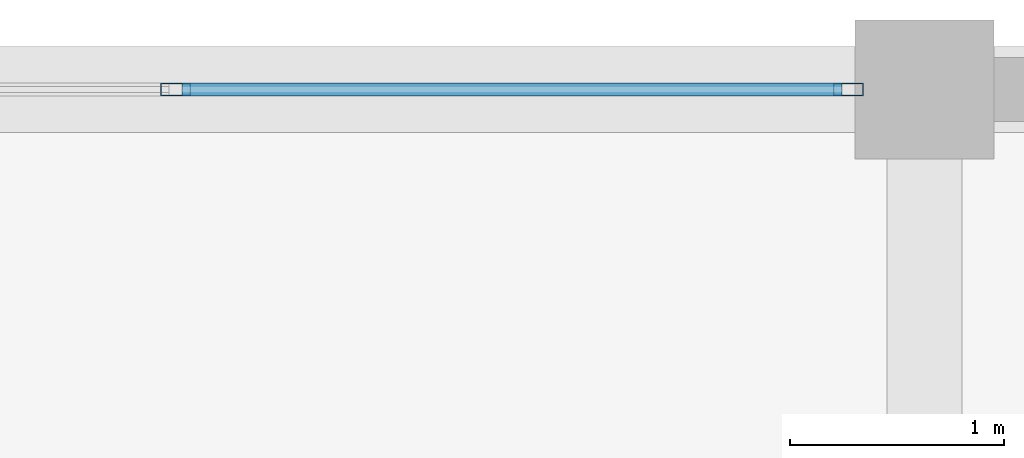
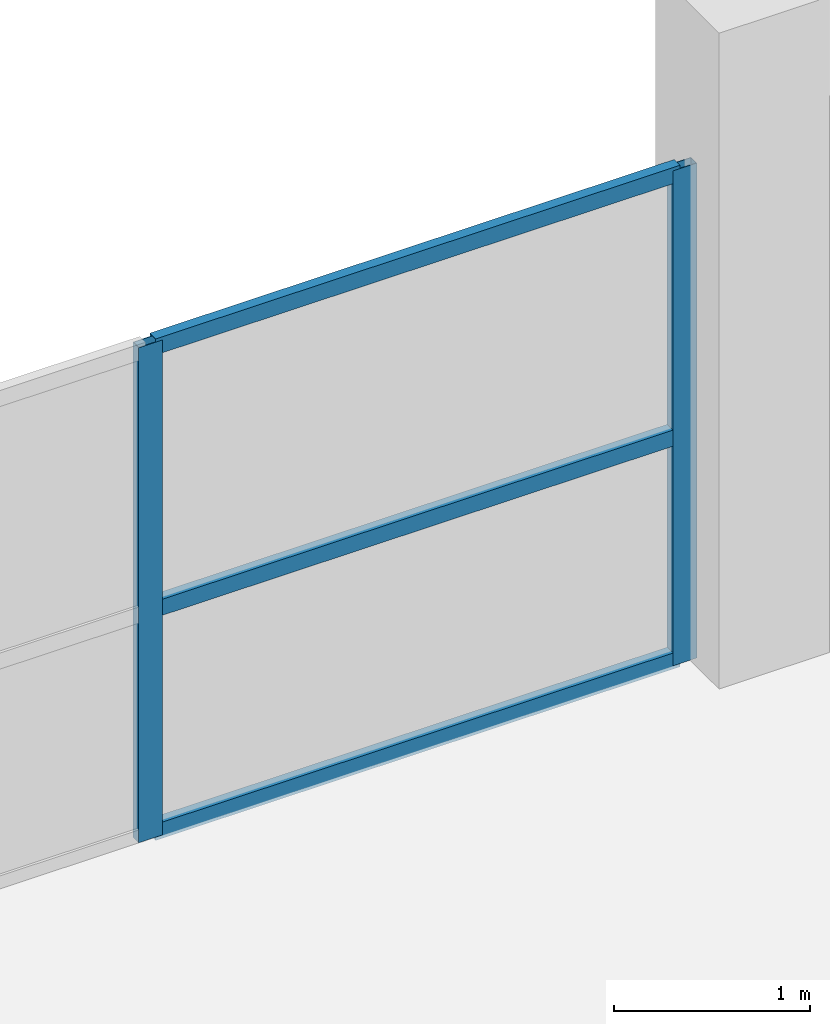
# One storey, part 47 of 70: 5 members, 1 element without a shape of its own.
"""IFC4 building model written with IfcOpenShell, lengths in metres."""

from ifc_helpers import new_model, si_unit, direction, frame, origin, origin_2d, place, context, subcontext, project, spatial, hollow_rectangle, extrude, material, layer, layer_set, material_profile, profile_set, type_object, element, aggregate, save


model = new_model("IFC4")

# Units and contexts
model_context = context("Model", 3, precision=1e-05, world=origin(), true_north=direction((0.0, 1.0)))
body_context = subcontext(model_context, "Body", "Model", "MODEL_VIEW")
ifc_project = project(units=[si_unit("LENGTHUNIT", "METRE"), si_unit("AREAUNIT", "SQUARE_METRE"), si_unit("VOLUMEUNIT", "CUBIC_METRE"), si_unit("PLANEANGLEUNIT", "RADIAN"), si_unit("MASSUNIT", "GRAM", prefix="KILO")], contexts=[model_context])

# Site, building, storey
site_placement = place(None, origin())
site = spatial("IfcSite", under=ifc_project, at=site_placement, CompositionType="ELEMENT")
building_placement = place(site_placement, origin())
building = spatial("IfcBuilding", under=site, at=building_placement, Name="Sillaruma Civic Art Gallery", CompositionType="ELEMENT")
storey_placement = place(building_placement, frame((0.0, 0.0, 66.300048828125)))
storey = spatial("IfcBuildingStorey", under=building, at=storey_placement, Name="L13", CompositionType="ELEMENT", Elevation=66.300048828125)

# Curtain wall, members
ifc_material = material(Name="Thermally Broken Extruded Aluminium 6063-T6", Category="aluminium")
ifc_layer = layer(ifc_material, 0.139892578125, Name="Thermally Broken Extruded Aluminium 6063-T6")
ifc_layer_set = layer_set([ifc_layer], Name="Thermally Broken Extruded Aluminium 6063-T6")
curtain_wall_type = type_object("IfcCurtainWallType", Name="CW-UNI-106", PredefinedType="NOTDEFINED", material=ifc_layer_set)
curtain_wall_placement = place(storey_placement, origin())
curtain_wall = element("IfcCurtainWall", 1, at=curtain_wall_placement, inside=storey, type_object=curtain_wall_type, Name="Unitised Curtain Wall CW-106 (CW-L13-WBN-3)", PredefinedType="NOTDEFINED")
ifc_material_profile_1 = material_profile(ifc_material, hollow_rectangle(XDim=0.06005859375, YDim=0.139892578125, WallThickness=0.00341796875, at=origin_2d()), Name="CWM60x140")
ifc_profile_set_1 = profile_set([ifc_material_profile_1], Name="Thermally Broken Extruded Aluminium 6063-T6")
member_type_1 = type_object("IfcMemberType", Name="MEM-MUL-CWM60x140", PredefinedType="MULLION", material=ifc_profile_set_1)
member_1_placement = place(storey_placement, frame((80.5, 99.0, 0.0), z_axis=(0.0, 0.0, 1.0), x_axis=(0.0, 1.0, 0.0)))
member_1 = element("IfcMember", 2, at=member_1_placement, type_object=member_type_1, Name="CW-106 mullion 2", PredefinedType="MULLION", context=body_context, shape_type="SweptSolid", body=[
    extrude(hollow_rectangle(XDim=0.06005859375, YDim=0.139892578125, WallThickness=0.00341796875, at=origin_2d()), origin(), (0.0, 0.0, 1.0), 3.079833984375),
])
member_2_placement = place(storey_placement, frame((83.64501953125, 99.0, 0.0), z_axis=(0.0, 0.0, 1.0), x_axis=(0.0, 1.0, 0.0)))
member_2 = element("IfcMember", 3, at=member_2_placement, type_object=member_type_1, Name="CW-106 mullion 3", PredefinedType="MULLION", context=body_context, shape_type="SweptSolid", body=[
    extrude(hollow_rectangle(XDim=0.06005859375, YDim=0.139892578125, WallThickness=0.00341796875, at=origin_2d()), origin(), (0.0, 0.0, 1.0), 3.079833984375),
])
ifc_material_profile_2 = material_profile(ifc_material, hollow_rectangle(XDim=0.06005859375, YDim=0.10009765625, WallThickness=0.003173828125, at=origin_2d()), Name="CWT60x100")
ifc_profile_set_2 = profile_set([ifc_material_profile_2], Name="Thermally Broken Extruded Aluminium 6063-T6")
member_type_2 = type_object("IfcMemberType", Name="MEM-TRN-CWT60x100", PredefinedType="USERDEFINED", material=ifc_profile_set_2)
member_3_placement = place(storey_placement, frame((80.530029296875, 99.0, 0.030029296875), z_axis=(1.0, 0.0, 0.0), x_axis=(0.0, 1.0, 0.0)))
member_3 = element("IfcMember", 4, at=member_3_placement, type_object=member_type_2, Name="CW-106 transom 2.1", ObjectType="TRANSOM", PredefinedType="USERDEFINED", context=body_context, shape_type="SweptSolid", body=[
    extrude(hollow_rectangle(XDim=0.06005859375, YDim=0.10009765625, WallThickness=0.003173828125, at=origin_2d()), origin(), (0.0, 0.0, 1.0), 3.0849609375),
])
member_4_placement = place(storey_placement, frame((80.530029296875, 99.0, 1.416748046875), z_axis=(1.0, 0.0, 0.0), x_axis=(0.0, 1.0, 0.0)))
member_4 = element("IfcMember", 5, at=member_4_placement, type_object=member_type_2, Name="CW-106 transom 2.2", ObjectType="TRANSOM", PredefinedType="USERDEFINED", context=body_context, shape_type="SweptSolid", body=[
    extrude(hollow_rectangle(XDim=0.06005859375, YDim=0.10009765625, WallThickness=0.003173828125, at=origin_2d()), origin(), (0.0, 0.0, 1.0), 3.0849609375),
])
member_5_placement = place(storey_placement, frame((80.530029296875, 99.0, 3.050048828125), z_axis=(1.0, 0.0, 0.0), x_axis=(0.0, 1.0, 0.0)))
member_5 = element("IfcMember", 6, at=member_5_placement, type_object=member_type_2, Name="CW-106 transom 2.3", ObjectType="TRANSOM", PredefinedType="USERDEFINED", context=body_context, shape_type="SweptSolid", body=[
    extrude(hollow_rectangle(XDim=0.06005859375, YDim=0.10009765625, WallThickness=0.003173828125, at=origin_2d()), origin(), (0.0, 0.0, 1.0), 3.0849609375),
])
aggregate(curtain_wall, [member_1, member_2, member_3, member_4, member_5])

save(model, "model.ifc")
